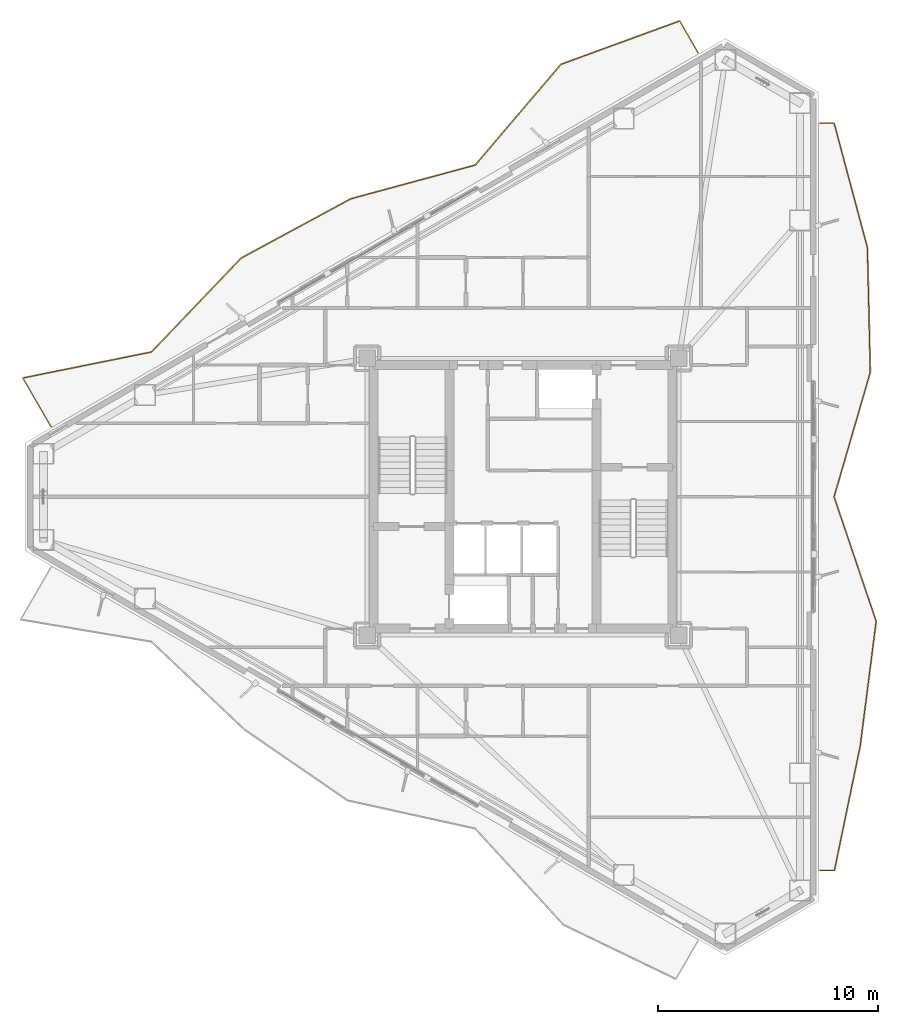
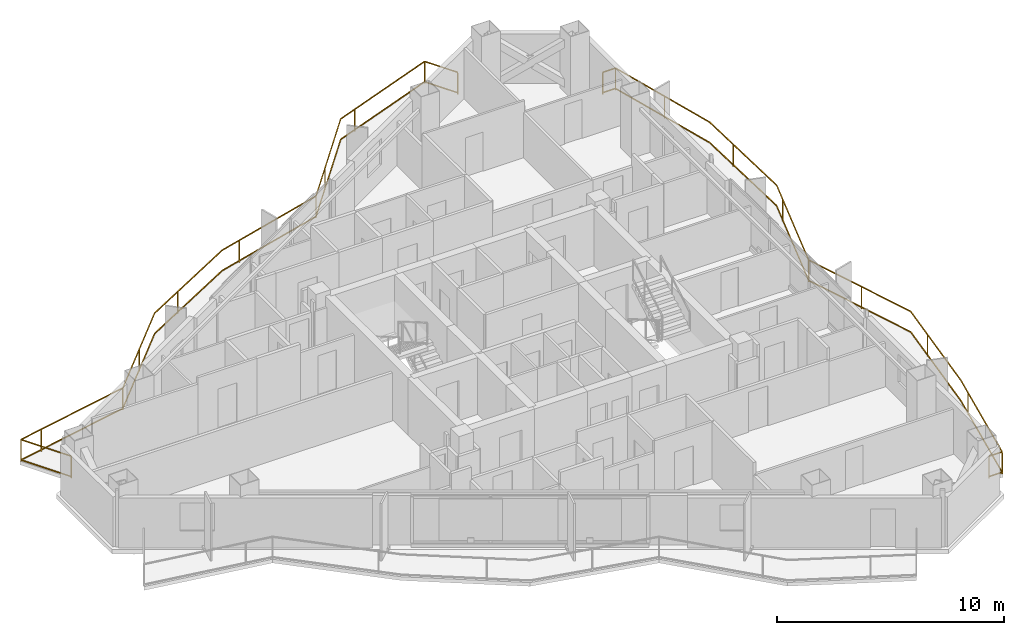
# One storey, part 18 of 18: 2 railings.
"""IFC4 building model written with IfcOpenShell, lengths in metres."""

from ifc_helpers import new_model, si_unit, direction, frame, origin, origin_2d, place, context, subcontext, project, spatial, rectangle, extrude, material, type_object, element, save


model = new_model("IFC4")

# Units and contexts
model_context = context("Model", 3, precision=1e-05, world=origin(), true_north=direction((0.0, 1.0)))
body_context = subcontext(model_context, "Body", "Model", "MODEL_VIEW")
ifc_project = project(units=[si_unit("LENGTHUNIT", "METRE"), si_unit("AREAUNIT", "SQUARE_METRE"), si_unit("VOLUMEUNIT", "CUBIC_METRE"), si_unit("PLANEANGLEUNIT", "RADIAN"), si_unit("MASSUNIT", "GRAM", prefix="KILO")], contexts=[model_context])

# Site, building, storey
site_placement = place(None, origin())
site = spatial("IfcSite", under=ifc_project, at=site_placement, CompositionType="ELEMENT")
building_placement = place(site_placement, origin())
building = spatial("IfcBuilding", under=site, at=building_placement, Name="Mersakhor Tower and Convention Hall", CompositionType="ELEMENT")
storey_placement = place(building_placement, frame((0.0, 0.0, 154.199951171875)))
storey = spatial("IfcBuildingStorey", under=building, at=storey_placement, Name="L43", CompositionType="ELEMENT", Elevation=154.199951171875)

# Railings
ifc_material = material(Name="Powder-coated galvanised steel and laminated glass balustrade", Category="steel")
railing_type = type_object("IfcRailingType", Name="RL-BAL-1200", PredefinedType="BALUSTRADE", material=ifc_material)
railing_1_placement = place(storey_placement, frame((36.983154296875, 46.969482421875, 0.0)))
element("IfcRailing", 1, at=railing_1_placement, inside=storey, type_object=railing_type, Name="L43 Sinusoidal Balcony Balustrade F1", PredefinedType="BALUSTRADE", context=body_context, shape_type="SweptSolid", body=[
    extrude(rectangle(XDim=0.048095703125, YDim=0.048095703125, at=origin_2d()), frame((0.0, 0.0, 1.17578125), z_axis=(-0.499957569697, 0.866049899545, 0.0), x_axis=(-0.866049899545, -0.499957569697, 0.0)), (0.0, 0.0, 1.0), 1.677978515625),
    extrude(rectangle(XDim=0.048095703125, YDim=0.048095703125, at=origin_2d()), frame((0.0, 0.0, 0.080078125), z_axis=(-0.499957569697, 0.866049899545, 0.0), x_axis=(-0.866049899545, -0.499957569697, 0.0)), (0.0, 0.0, 1.0), 1.677978515625),
    extrude(rectangle(XDim=0.048095703125, YDim=0.048095703125, at=origin_2d()), frame((-0.8388671875, 1.453125, 1.17578125), z_axis=(-0.939265186504, -0.343192233917, 0.0), x_axis=(0.343192233917, -0.939265186504, 0.0)), (0.0, 0.0, 1.0), 5.7607421875),
    extrude(rectangle(XDim=0.048095703125, YDim=0.048095703125, at=origin_2d()), frame((-0.8388671875, 1.453125, 0.080078125), z_axis=(-0.939265186504, -0.343192233917, 0.0), x_axis=(0.343192233917, -0.939265186504, 0.0)), (0.0, 0.0, 1.0), 5.7607421875),
    extrude(rectangle(XDim=0.048095703125, YDim=0.048095703125, at=origin_2d()), frame((-6.249755859375, -0.52392578125, 1.17578125), z_axis=(-0.648083620827, -0.761569182948, 0.0), x_axis=(0.761569182948, -0.648083620827, 0.0)), (0.0, 0.0, 1.0), 6.023681640625),
    extrude(rectangle(XDim=0.048095703125, YDim=0.048095703125, at=origin_2d()), frame((-6.249755859375, -0.52392578125, 0.080078125), z_axis=(-0.648083620827, -0.761569182948, 0.0), x_axis=(0.761569182948, -0.648083620827, 0.0)), (0.0, 0.0, 1.0), 6.023681640625),
    extrude(rectangle(XDim=0.048095703125, YDim=0.048095703125, at=origin_2d()), frame((-10.153564453125, -5.111328125, 1.17578125), z_axis=(-0.965162939394, -0.261649575615, 0.0), x_axis=(0.261649575615, -0.965162939394, 0.0)), (0.0, 0.0, 1.0), 5.8701171875),
    extrude(rectangle(XDim=0.048095703125, YDim=0.048095703125, at=origin_2d()), frame((-10.153564453125, -5.111328125, 0.080078125), z_axis=(-0.965162939394, -0.261649575615, 0.0), x_axis=(0.261649575615, -0.965162939394, 0.0)), (0.0, 0.0, 1.0), 5.8701171875),
    extrude(rectangle(XDim=0.048095703125, YDim=0.048095703125, at=origin_2d()), frame((-15.819091796875, -6.647216796875, 1.17578125), z_axis=(-0.879674420088, -0.475576402529, 0.0), x_axis=(0.475576402529, -0.879674420088, 0.0)), (0.0, 0.0, 1.0), 5.6767578125),
    extrude(rectangle(XDim=0.048095703125, YDim=0.048095703125, at=origin_2d()), frame((-15.819091796875, -6.647216796875, 0.080078125), z_axis=(-0.879674420088, -0.475576402529, 0.0), x_axis=(0.475576402529, -0.879674420088, 0.0)), (0.0, 0.0, 1.0), 5.6767578125),
    extrude(rectangle(XDim=0.048095703125, YDim=0.048095703125, at=origin_2d()), frame((-20.812744140625, -9.346923828125, 1.17578125), z_axis=(-0.690629913075, -0.723208353911, 0.0), x_axis=(0.723208353911, -0.690629913075, 0.0)), (0.0, 0.0, 1.0), 5.91259765625),
    extrude(rectangle(XDim=0.048095703125, YDim=0.048095703125, at=origin_2d()), frame((-20.812744140625, -9.346923828125, 0.080078125), z_axis=(-0.690629913075, -0.723208353911, 0.0), x_axis=(0.723208353911, -0.690629913075, 0.0)), (0.0, 0.0, 1.0), 5.91259765625),
    extrude(rectangle(XDim=0.048095703125, YDim=0.048095703125, at=origin_2d()), frame((-24.896240234375, -13.623046875, 1.17578125), z_axis=(-0.980140563224, -0.198303999767, 0.0), x_axis=(0.198303999767, -0.980140563224, 0.0)), (0.0, 0.0, 1.0), 5.98583984375),
    extrude(rectangle(XDim=0.048095703125, YDim=0.048095703125, at=origin_2d()), frame((-24.896240234375, -13.623046875, 0.080078125), z_axis=(-0.980140563224, -0.198303999767, 0.0), x_axis=(0.198303999767, -0.980140563224, 0.0)), (0.0, 0.0, 1.0), 5.98583984375),
    extrude(rectangle(XDim=0.048095703125, YDim=0.048095703125, at=origin_2d()), frame((-30.76318359375, -14.81005859375, 1.17578125), z_axis=(0.500022914263, -0.866012173824, 0.0), x_axis=(0.866012173824, 0.500022914263, 0.0)), (0.0, 0.0, 1.0), 2.5556640625),
    extrude(rectangle(XDim=0.048095703125, YDim=0.048095703125, at=origin_2d()), frame((-30.76318359375, -14.81005859375, 0.080078125), z_axis=(0.500022914263, -0.866012173824, 0.0), x_axis=(0.866012173824, 0.500022914263, 0.0)), (0.0, 0.0, 1.0), 2.5556640625),
    extrude(rectangle(XDim=0.0419921875, YDim=0.0419921875, at=origin_2d()), origin(), (0.0, 0.0, 1.0), 1.15185546875),
    extrude(rectangle(XDim=0.0419921875, YDim=0.0419921875, at=origin_2d()), frame((-0.8388671875, 1.453125, 0.0)), (0.0, 0.0, 1.0), 1.15185546875),
    extrude(rectangle(XDim=0.0419921875, YDim=0.0419921875, at=origin_2d()), frame((-5.347412109375, -0.194091796875, 0.0)), (0.0, 0.0, 1.0), 1.15185546875),
    extrude(rectangle(XDim=0.0419921875, YDim=0.0419921875, at=origin_2d()), frame((-8.73779296875, -3.44775390625, 0.0)), (0.0, 0.0, 1.0), 1.15185546875),
    extrude(rectangle(XDim=0.0419921875, YDim=0.0419921875, at=origin_2d()), frame((-10.153564453125, -5.111328125, 0.0)), (0.0, 0.0, 1.0), 1.15185546875),
    extrude(rectangle(XDim=0.0419921875, YDim=0.0419921875, at=origin_2d()), frame((-14.786376953125, -6.3671875, 0.0)), (0.0, 0.0, 1.0), 1.15185546875),
    extrude(rectangle(XDim=0.0419921875, YDim=0.0419921875, at=origin_2d()), frame((-19.100341796875, -8.421142578125, 0.0)), (0.0, 0.0, 1.0), 1.15185546875),
    extrude(rectangle(XDim=0.0419921875, YDim=0.0419921875, at=origin_2d()), frame((-22.783203125, -11.410400390625, 0.0)), (0.0, 0.0, 1.0), 1.15185546875),
    extrude(rectangle(XDim=0.0419921875, YDim=0.0419921875, at=origin_2d()), frame((-24.896240234375, -13.623046875, 0.0)), (0.0, 0.0, 1.0), 1.15185546875),
    extrude(rectangle(XDim=0.0419921875, YDim=0.0419921875, at=origin_2d()), frame((-29.600830078125, -14.574951171875, 0.0)), (0.0, 0.0, 1.0), 1.15185546875),
    extrude(rectangle(XDim=0.0419921875, YDim=0.0419921875, at=origin_2d()), frame((-30.76318359375, -14.81005859375, 0.0)), (0.0, 0.0, 1.0), 1.15185546875),
    extrude(rectangle(XDim=0.0419921875, YDim=0.0419921875, at=origin_2d()), frame((-29.4853515625, -17.023193359375, 0.0)), (0.0, 0.0, 1.0), 1.15185546875),
])
railing_2_placement = place(storey_placement, frame((42.519287109375, 9.726806640625, 0.0)))
element("IfcRailing", 2, at=railing_2_placement, inside=storey, type_object=railing_type, Name="L43 Sinusoidal Balcony Balustrade F2", PredefinedType="BALUSTRADE", context=body_context, shape_type="SweptSolid", body=[
    extrude(rectangle(XDim=0.048095703125, YDim=0.048095703125, at=origin_2d()), frame((0.0, 0.0, 1.17578125), z_axis=(1.0, 0.0, 0.0), x_axis=(0.0, 1.0, 0.0)), (0.0, 0.0, 1.0), 0.663330078125),
    extrude(rectangle(XDim=0.048095703125, YDim=0.048095703125, at=origin_2d()), frame((0.0, 0.0, 0.080078125), z_axis=(1.0, 0.0, 0.0), x_axis=(0.0, 1.0, 0.0)), (0.0, 0.0, 1.0), 0.663330078125),
    extrude(rectangle(XDim=0.048095703125, YDim=0.048095703125, at=origin_2d()), frame((0.663330078125, 0.0, 1.17578125), z_axis=(0.20298173152, 0.979182524696, 0.0), x_axis=(-0.979182524696, 0.20298173152, 0.0)), (0.0, 0.0, 1.0), 5.794921875),
    extrude(rectangle(XDim=0.048095703125, YDim=0.048095703125, at=origin_2d()), frame((0.663330078125, 0.0, 0.080078125), z_axis=(0.20298173152, 0.979182524696, 0.0), x_axis=(-0.979182524696, 0.20298173152, 0.0)), (0.0, 0.0, 1.0), 5.794921875),
    extrude(rectangle(XDim=0.048095703125, YDim=0.048095703125, at=origin_2d()), frame((1.839599609375, 5.67431640625, 1.17578125), z_axis=(0.126959768751, 0.991907867253, 0.0), x_axis=(-0.991907867253, 0.126959768751, 0.0)), (0.0, 0.0, 1.0), 5.720947265625),
    extrude(rectangle(XDim=0.048095703125, YDim=0.048095703125, at=origin_2d()), frame((1.839599609375, 5.67431640625, 0.080078125), z_axis=(0.126959768751, 0.991907867253, 0.0), x_axis=(-0.991907867253, 0.126959768751, 0.0)), (0.0, 0.0, 1.0), 5.720947265625),
    extrude(rectangle(XDim=0.048095703125, YDim=0.048095703125, at=origin_2d()), frame((2.56591796875, 11.348876953125, 1.17578125), z_axis=(-0.319918619809, 0.947445025687, 0.0), x_axis=(-0.947445025687, -0.319918619809, 0.0)), (0.0, 0.0, 1.0), 5.989013671875),
    extrude(rectangle(XDim=0.048095703125, YDim=0.048095703125, at=origin_2d()), frame((2.56591796875, 11.348876953125, 0.080078125), z_axis=(-0.319918619809, 0.947445025687, 0.0), x_axis=(-0.947445025687, -0.319918619809, 0.0)), (0.0, 0.0, 1.0), 5.989013671875),
    extrude(rectangle(XDim=0.048095703125, YDim=0.048095703125, at=origin_2d()), frame((0.64990234375, 17.023193359375, 1.17578125), z_axis=(0.279013006236, 0.960287322811, 0.0), x_axis=(-0.960287322811, 0.279013006236, 0.0)), (0.0, 0.0, 1.0), 5.908935546875),
    extrude(rectangle(XDim=0.048095703125, YDim=0.048095703125, at=origin_2d()), frame((0.64990234375, 17.023193359375, 0.080078125), z_axis=(0.279013006236, 0.960287322811, 0.0), x_axis=(-0.960287322811, 0.279013006236, 0.0)), (0.0, 0.0, 1.0), 5.908935546875),
    extrude(rectangle(XDim=0.048095703125, YDim=0.048095703125, at=origin_2d()), frame((2.298583984375, 22.697509765625, 1.17578125), z_axis=(-0.023269522538, 0.999729228002, 0.0), x_axis=(-0.999729228002, -0.023269522538, 0.0)), (0.0, 0.0, 1.0), 5.676025390625),
    extrude(rectangle(XDim=0.048095703125, YDim=0.048095703125, at=origin_2d()), frame((2.298583984375, 22.697509765625, 0.080078125), z_axis=(-0.023269522538, 0.999729228002, 0.0), x_axis=(-0.999729228002, -0.023269522538, 0.0)), (0.0, 0.0, 1.0), 5.676025390625),
    extrude(rectangle(XDim=0.048095703125, YDim=0.048095703125, at=origin_2d()), frame((2.16650390625, 28.3720703125, 1.17578125), z_axis=(-0.258211079841, 0.966088525057, 0.0), x_axis=(-0.966088525057, -0.258211079841, 0.0)), (0.0, 0.0, 1.0), 5.87353515625),
    extrude(rectangle(XDim=0.048095703125, YDim=0.048095703125, at=origin_2d()), frame((2.16650390625, 28.3720703125, 0.080078125), z_axis=(-0.258211079841, 0.966088525057, 0.0), x_axis=(-0.966088525057, -0.258211079841, 0.0)), (0.0, 0.0, 1.0), 5.87353515625),
    extrude(rectangle(XDim=0.048095703125, YDim=0.048095703125, at=origin_2d()), frame((0.64990234375, 34.04638671875, 1.17578125), z_axis=(-1.0, 0.0, 0.0), x_axis=(0.0, -1.0, 0.0)), (0.0, 0.0, 1.0), 0.64990234375),
    extrude(rectangle(XDim=0.048095703125, YDim=0.048095703125, at=origin_2d()), frame((0.64990234375, 34.04638671875, 0.080078125), z_axis=(-1.0, 0.0, 0.0), x_axis=(0.0, -1.0, 0.0)), (0.0, 0.0, 1.0), 0.64990234375),
    extrude(rectangle(XDim=0.0419921875, YDim=0.0419921875, at=origin_2d()), origin(), (0.0, 0.0, 1.0), 1.15185546875),
    extrude(rectangle(XDim=0.0419921875, YDim=0.0419921875, at=origin_2d()), frame((0.663330078125, 0.0, 0.0)), (0.0, 0.0, 1.0), 1.15185546875),
    extrude(rectangle(XDim=0.0419921875, YDim=0.0419921875, at=origin_2d()), frame((1.6376953125, 4.7001953125, 0.0)), (0.0, 0.0, 1.0), 1.15185546875),
    extrude(rectangle(XDim=0.0419921875, YDim=0.0419921875, at=origin_2d()), frame((2.32275390625, 9.448486328125, 0.0)), (0.0, 0.0, 1.0), 1.15185546875),
    extrude(rectangle(XDim=0.0419921875, YDim=0.0419921875, at=origin_2d()), frame((1.643310546875, 14.08154296875, 0.0)), (0.0, 0.0, 1.0), 1.15185546875),
    extrude(rectangle(XDim=0.0419921875, YDim=0.0419921875, at=origin_2d()), frame((0.64990234375, 17.023193359375, 0.0)), (0.0, 0.0, 1.0), 1.15185546875),
    extrude(rectangle(XDim=0.0419921875, YDim=0.0419921875, at=origin_2d()), frame((1.9892578125, 21.632568359375, 0.0)), (0.0, 0.0, 1.0), 1.15185546875),
    extrude(rectangle(XDim=0.0419921875, YDim=0.0419921875, at=origin_2d()), frame((2.212646484375, 26.387451171875, 0.0)), (0.0, 0.0, 1.0), 1.15185546875),
    extrude(rectangle(XDim=0.0419921875, YDim=0.0419921875, at=origin_2d()), frame((1.439697265625, 31.091552734375, 0.0)), (0.0, 0.0, 1.0), 1.15185546875),
    extrude(rectangle(XDim=0.0419921875, YDim=0.0419921875, at=origin_2d()), frame((0.64990234375, 34.04638671875, 0.0)), (0.0, 0.0, 1.0), 1.15185546875),
    extrude(rectangle(XDim=0.0419921875, YDim=0.0419921875, at=origin_2d()), frame((0.0, 34.04638671875, 0.0)), (0.0, 0.0, 1.0), 1.15185546875),
])

save(model, "model.ifc")
